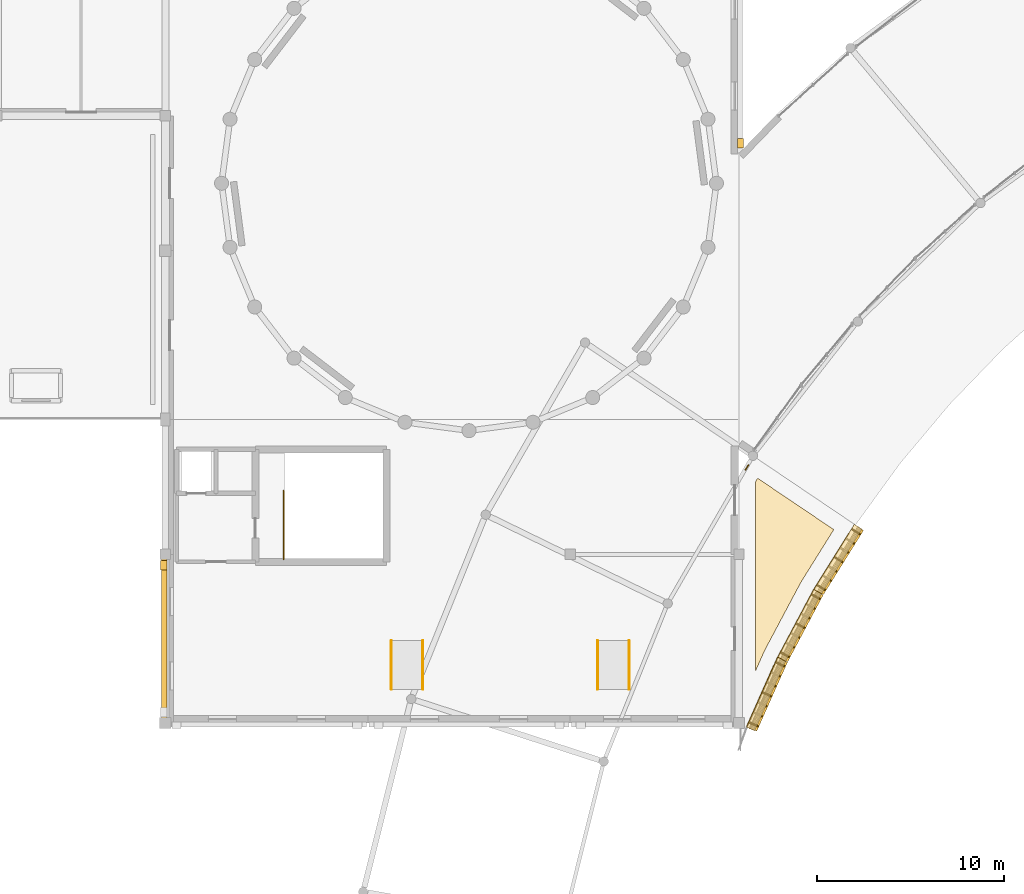
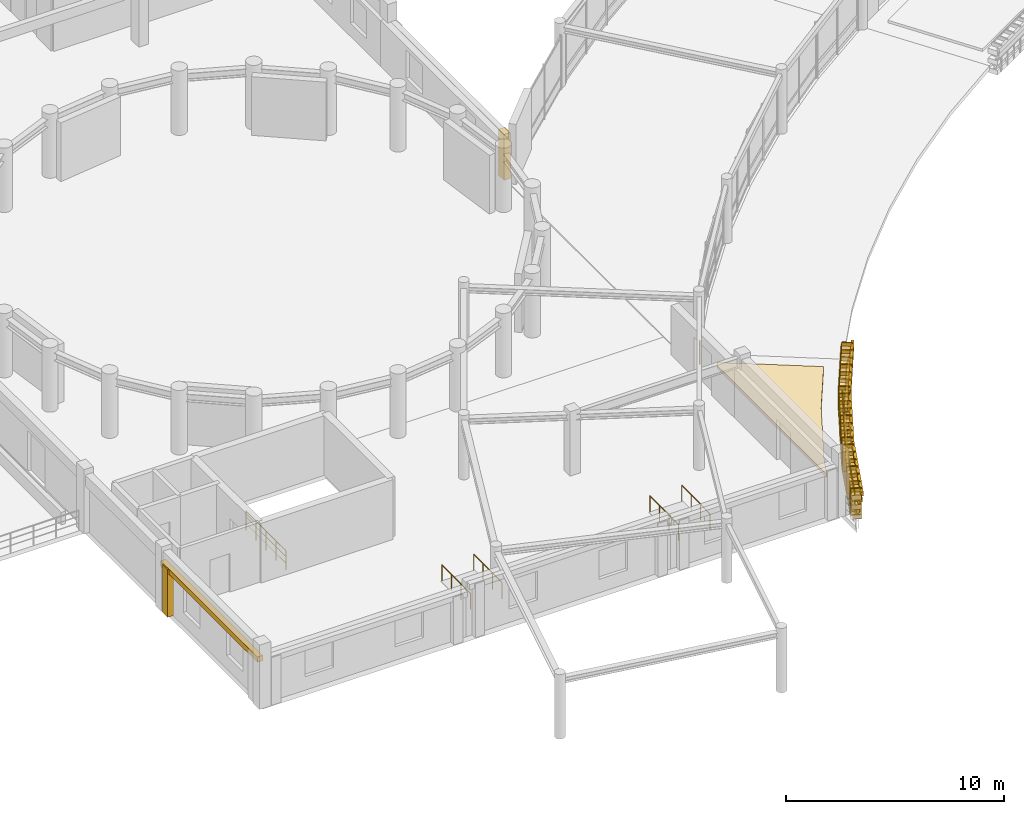
# One storey, part 64 of 74: 36 shading devices, 22 coverings, 11 railings.
"""IFC4 building model written with IfcOpenShell, lengths in metres."""

from ifc_helpers import new_model, si_unit, direction, frame, frame_2d, origin, origin_2d, place, context, subcontext, project, spatial, polyline, rectangle, circle, outline, extrude, material, layer, layer_set, type_object, element, save


model = new_model("IFC4")

# Units and contexts
model_context = context("Model", 3, precision=1e-05, world=origin(), true_north=direction((0.0, 1.0)))
body_context = subcontext(model_context, "Body", "Model", "MODEL_VIEW")
ifc_project = project(units=[si_unit("LENGTHUNIT", "METRE"), si_unit("AREAUNIT", "SQUARE_METRE"), si_unit("VOLUMEUNIT", "CUBIC_METRE"), si_unit("PLANEANGLEUNIT", "RADIAN"), si_unit("MASSUNIT", "GRAM", prefix="KILO")], contexts=[model_context])

# Site, building, storey
site_placement = place(None, origin())
site = spatial("IfcSite", under=ifc_project, at=site_placement, CompositionType="ELEMENT")
building_placement = place(site_placement, origin())
building = spatial("IfcBuilding", under=site, at=building_placement, Name="Clarverna Civic Hall", CompositionType="ELEMENT")
storey_placement = place(building_placement, frame((0.0, 0.0, 9.60009765625)))
storey = spatial("IfcBuildingStorey", under=building, at=storey_placement, Name="L02", CompositionType="ELEMENT", Elevation=9.60009765625)

# Coverings
ifc_material_1 = material(Name="Thermally Modified Teak Wood Slat Fascia Cladding", Category="wood")
ifc_layer_1 = layer(ifc_material_1, 0.080078125)
ifc_layer_set_1 = layer_set([ifc_layer_1], Name="Thermally Modified Teak Wood Slat Fascia Cladding")
covering_type_1 = type_object("IfcCoveringType", Name="CV-CL1", PredefinedType="CLADDING", material=ifc_layer_set_1)
for number, where, z_axis, x_axis, name in (
    (1, (103.571044921875, 40.67333984375, -0.380126953125), (0.0, 0.0, 1.0), (-0.529913093381, -0.848051952102, 0.0), "CV-CL1-129"),
    (2, (103.571044921875, 40.67333984375, 0.159912109375), (0.0, 0.0, 1.0), (-0.529913093381, -0.848051952102, 0.0), "CV-CL1-130"),
):
    element("IfcCovering", number, at=place(storey_placement, frame(where, z_axis=z_axis, x_axis=x_axis)), inside=storey, type_object=covering_type_1, Name=name, PredefinedType="CLADDING", context=body_context, shape_type="SweptSolid", body=[
        extrude(rectangle(XDim=4.09033203125, YDim=0.5, at=frame_2d((2.045166015625, 0.0))), origin(), (0.0, 0.0, 1.0), 0.260009765625),
    ])
covering_1_placement = place(storey_placement, frame((103.571044921875, 40.67333984375, 0.679931640625), z_axis=(0.0, 0.0, 1.0), x_axis=(-0.529913093381, -0.848051952102, 0.0)))
element("IfcCovering", 3, at=covering_1_placement, inside=storey, type_object=covering_type_1, Name="CV-CL1-131", PredefinedType="CLADDING", context=body_context, shape_type="SweptSolid", body=[
    extrude(rectangle(XDim=4.09033203125, YDim=0.5, at=frame_2d((2.045166015625, 0.0))), origin(), (0.0, 0.0, 1.0), 0.280029296875),
])
covering_2_placement = place(storey_placement, frame((103.229736328125, 40.5419921875, -0.360107421875), z_axis=(0.0, 0.0, 1.0), x_axis=(0.848135431793, -0.529779472363, 0.0)))
element("IfcCovering", 4, at=covering_2_placement, inside=storey, type_object=covering_type_1, Name="CV-CL1-132", PredefinedType="CLADDING", context=body_context, shape_type="SweptSolid", body=[
    extrude(rectangle(XDim=0.5, YDim=0.070068359375, at=frame_2d((0.25, 0.0))), origin(), (0.0, 0.0, 1.0), 1.52001953125),
])
covering_3_placement = place(storey_placement, frame((102.30078125, 39.055419921875, -0.360107421875), z_axis=(0.0, 0.0, 1.0), x_axis=(0.847998304005, -0.529998940003, 0.0)))
element("IfcCovering", 5, at=covering_3_placement, inside=storey, type_object=covering_type_1, Name="CV-CL1-133", PredefinedType="CLADDING", context=body_context, shape_type="SweptSolid", body=[
    extrude(rectangle(XDim=0.499755859375, YDim=0.070068359375, at=frame_2d((0.25, 0.0))), origin(), (0.0, 0.0, 1.0), 1.52001953125),
])
covering_4_placement = place(storey_placement, frame((101.371826171875, 37.569091796875, -0.360107421875), z_axis=(0.0, 0.0, 1.0), x_axis=(0.847916021367, -0.530130569491, 0.0)))
element("IfcCovering", 6, at=covering_4_placement, inside=storey, type_object=covering_type_1, Name="CV-CL1-134", PredefinedType="CLADDING", context=body_context, shape_type="SweptSolid", body=[
    extrude(rectangle(XDim=0.500244140625, YDim=0.070068359375, at=frame_2d((0.25, 0.0))), origin(), (0.0, 0.0, 1.0), 1.52001953125),
])
for number, where, z_axis, x_axis, name in (
    (7, (101.409912109375, 37.215576171875, -0.380126953125), (0.0, 0.0, 1.0), (-0.469491216359, -0.882937142588, 0.0), "CV-CL1-135"),
    (8, (101.409912109375, 37.215576171875, 0.159912109375), (0.0, 0.0, 1.0), (-0.469491216359, -0.882937142588, 0.0), "CV-CL1-136"),
):
    element("IfcCovering", number, at=place(storey_placement, frame(where, z_axis=z_axis, x_axis=x_axis)), inside=storey, type_object=covering_type_1, Name=name, PredefinedType="CLADDING", context=body_context, shape_type="SweptSolid", body=[
        extrude(rectangle(XDim=4.09033203125, YDim=0.5, at=frame_2d((2.045166015625, 0.0))), origin(), (0.0, 0.0, 1.0), 0.260009765625),
    ])
covering_5_placement = place(storey_placement, frame((101.409912109375, 37.215576171875, 0.679931640625), z_axis=(0.0, 0.0, 1.0), x_axis=(-0.469491216359, -0.882937142588, 0.0)))
element("IfcCovering", 9, at=covering_5_placement, inside=storey, type_object=covering_type_1, Name="CV-CL1-137", PredefinedType="CLADDING", context=body_context, shape_type="SweptSolid", body=[
    extrude(rectangle(XDim=4.09033203125, YDim=0.5, at=frame_2d((2.045166015625, 0.0))), origin(), (0.0, 0.0, 1.0), 0.280029296875),
])
for number, where, z_axis, x_axis, name in (
    (10, (101.078369140625, 37.060791015625, -0.360107421875), (0.0, 0.0, 1.0), (0.883122040094, -0.469143328099, 0.0), "CV-CL1-138"),
    (11, (100.255615234375, 35.512939453125, -0.360107421875), (0.0, 0.0, 1.0), (0.883014523832, -0.46934566228, 0.0), "CV-CL1-139"),
    (12, (99.4326171875, 33.965087890625, -0.360107421875), (0.0, 0.0, 1.0), (0.883014523832, -0.46934566228, 0.0), "CV-CL1-140"),
):
    element("IfcCovering", number, at=place(storey_placement, frame(where, z_axis=z_axis, x_axis=x_axis)), inside=storey, type_object=covering_type_1, Name=name, PredefinedType="CLADDING", context=body_context, shape_type="SweptSolid", body=[
        extrude(rectangle(XDim=0.5, YDim=0.070068359375, at=frame_2d((0.25, 0.0))), origin(), (0.0, 0.0, 1.0), 1.52001953125),
    ])
for number, where, z_axis, x_axis, name in (
    (13, (99.4951171875, 33.615234375, -0.380126953125), (0.0, 0.0, 1.0), (-0.406775246919, -0.913528269127, 0.0), "CV-CL1-141"),
    (14, (99.4951171875, 33.615234375, 0.159912109375), (0.0, 0.0, 1.0), (-0.406775246919, -0.913528269127, 0.0), "CV-CL1-142"),
):
    element("IfcCovering", number, at=place(storey_placement, frame(where, z_axis=z_axis, x_axis=x_axis)), inside=storey, type_object=covering_type_1, Name=name, PredefinedType="CLADDING", context=body_context, shape_type="SweptSolid", body=[
        extrude(rectangle(XDim=4.09033203125, YDim=0.5, at=frame_2d((2.045166015625, 0.0))), origin(), (0.0, 0.0, 1.0), 0.260009765625),
    ])
covering_6_placement = place(storey_placement, frame((99.4951171875, 33.615234375, 0.679931640625), z_axis=(0.0, 0.0, 1.0), x_axis=(-0.406775246919, -0.913528269127, 0.0)))
element("IfcCovering", 15, at=covering_6_placement, inside=storey, type_object=covering_type_1, Name="CV-CL1-143", PredefinedType="CLADDING", context=body_context, shape_type="SweptSolid", body=[
    extrude(rectangle(XDim=4.09033203125, YDim=0.5, at=frame_2d((2.045166015625, 0.0))), origin(), (0.0, 0.0, 1.0), 0.280029296875),
])
for number, where, z_axis, x_axis, name in (
    (16, (99.17529296875, 33.43798828125, -0.360107421875), (0.0, 0.0, 1.0), (0.913549606868, -0.406727323635, 0.0), "CV-CL1-144"),
    (17, (98.46240234375, 31.83642578125, -0.360107421875), (0.0, 0.0, 1.0), (0.913549606868, -0.406727323635, 0.0), "CV-CL1-145"),
    (18, (97.749267578125, 30.235107421875, -0.360107421875), (0.0, 0.0, 1.0), (0.913549606868, -0.406727323635, 0.0), "CV-CL1-146"),
):
    element("IfcCovering", number, at=place(storey_placement, frame(where, z_axis=z_axis, x_axis=x_axis)), inside=storey, type_object=covering_type_1, Name=name, PredefinedType="CLADDING", context=body_context, shape_type="SweptSolid", body=[
        extrude(rectangle(XDim=0.5, YDim=0.070068359375, at=frame_2d((0.25, 0.0))), origin(), (0.0, 0.0, 1.0), 1.52001953125),
    ])
ifc_material_2 = material(Name="Montjuic Buff Limestone Ashlar Cladding", Category="masonry")
ifc_layer_2 = layer(ifc_material_2, 0.070068359375)
ifc_layer_set_2 = layer_set([ifc_layer_2], Name="Montjuic Buff Limestone Ashlar Cladding")
covering_type_2 = type_object("IfcCoveringType", Name="CV-CL2", PredefinedType="CLADDING", material=ifc_layer_set_2)
covering_7_placement = place(storey_placement, frame((97.284912109375, 61.38671875, 0.0), z_axis=(0.0, 0.0, 1.0), x_axis=(0.0, -1.0, 0.0)))
element("IfcCovering", 19, at=covering_7_placement, inside=storey, type_object=covering_type_2, Name="CV-CL2-487", PredefinedType="CLADDING", context=body_context, shape_type="SweptSolid", body=[
    extrude(rectangle(XDim=0.5, YDim=0.340087890625, at=frame_2d((0.25, 0.0))), origin(), (0.0, 0.0, 1.0), 2.559814453125),
])
covering_8_placement = place(storey_placement, frame((66.544921875, 30.260009765625, 2.3798828125), z_axis=(0.0, 0.0, 1.0), x_axis=(0.0, 1.0, 0.0)))
element("IfcCovering", 20, at=covering_8_placement, inside=storey, type_object=covering_type_2, Name="CV-CL2-497", PredefinedType="CLADDING", context=body_context, shape_type="SweptSolid", body=[
    extrude(rectangle(XDim=8.8798828125, YDim=0.280029296875, at=frame_2d((4.43994140625, 0.0))), origin(), (0.0, 0.0, 1.0), 0.300048828125),
])
covering_9_placement = place(storey_placement, frame((66.514892578125, 38.3798828125, 0.0), z_axis=(0.0, 0.0, 1.0), x_axis=(0.0, 1.0, 0.0)))
element("IfcCovering", 21, at=covering_9_placement, inside=storey, type_object=covering_type_2, Name="CV-CL2-499", PredefinedType="CLADDING", context=body_context, shape_type="SweptSolid", body=[
    extrude(rectangle(XDim=0.5, YDim=0.340087890625, at=frame_2d((0.25, 0.0))), origin(), (0.0, 0.0, 1.0), 2.659912109375),
])
ifc_material_3 = material(Name="Planted Civic Terrace Vegetated Substrate and Drainage Build-Up")
ifc_layer_3 = layer(ifc_material_3, 0.25)
ifc_layer_set_3 = layer_set([ifc_layer_3], Name="Planted Civic Terrace Vegetated Substrate and Drainage Build-Up")
covering_type_3 = type_object("IfcCoveringType", Name="CV-RF1", PredefinedType="ROOFING", material=ifc_layer_set_3)
covering_10_placement = place(storey_placement, frame((0.0, 0.0, -0.02001953125)))
element("IfcCovering", 22, at=covering_10_placement, inside=storey, type_object=covering_type_3, Name="CV-RF1-009", PredefinedType="ROOFING", context=body_context, shape_type="SweptSolid", body=[
    extrude(outline(polyline([(98.074951171875, 32.9580078125), (98.074951171875, 43.060546875), (98.201171875, 43.262451171875), (102.2626953125, 40.52294921875), (100.50048828125, 37.698974609375), (98.580078125, 34.08740234375), (98.074951171875, 32.9580078125)])), origin(), (0.0, 0.0, 1.0), 0.159912109375),
])

# Railings
ifc_material_4 = material(Name="Anodised Bronze Architectural Balustrade")
railing_type_1 = type_object("IfcRailingType", Name="GR-01", PredefinedType="BALUSTRADE", material=ifc_material_4)
railing_1_placement = place(storey_placement, frame((97.5458984375, 43.70458984375, 0.0)))
element("IfcRailing", 23, at=railing_1_placement, inside=storey, type_object=railing_type_1, Name="GR-01-009", PredefinedType="BALUSTRADE", context=body_context, shape_type="SweptSolid", body=[
    extrude(circle(Radius=0.02392578125, at=origin_2d()), frame((0.0, 0.0, 1.09619140625), z_axis=(0.529853727046, 0.848089044815, 0.0), x_axis=(-0.848089044815, 0.529853727046, 0.0)), (0.0, 0.0, 1.0), 0.30224609375),
    extrude(circle(Radius=0.011962890625, at=origin_2d()), frame((0.0, 0.0, 0.39208984375), z_axis=(0.529853727046, 0.848089044815, 0.0), x_axis=(-0.848089044815, 0.529853727046, 0.0)), (0.0, 0.0, 1.0), 0.30224609375),
    extrude(circle(Radius=0.011962890625, at=origin_2d()), frame((0.0, 0.0, 0.76171875), z_axis=(0.529853727046, 0.848089044815, 0.0), x_axis=(-0.848089044815, 0.529853727046, 0.0)), (0.0, 0.0, 1.0), 0.30224609375),
    extrude(circle(Radius=0.02099609375, at=origin_2d()), origin(), (0.0, 0.0, 1.0), 1.072021484375),
    extrude(circle(Radius=0.02099609375, at=origin_2d()), frame((0.16015625, 0.25634765625, 0.0)), (0.0, 0.0, 1.0), 1.072021484375),
])
railing_2_placement = place(storey_placement, frame((103.076416015625, 40.334716796875, 0.0)))
element("IfcRailing", 24, at=railing_2_placement, inside=storey, type_object=railing_type_1, Name="GR-01-010", PredefinedType="BALUSTRADE", context=body_context, shape_type="SweptSolid", body=[
    extrude(circle(Radius=0.02392578125, at=origin_2d()), frame((0.0, 0.0, 1.09619140625), z_axis=(-0.529924568458, -0.848044781686, 0.0), x_axis=(0.848044781686, -0.529924568458, 0.0)), (0.0, 0.0, 1.0), 3.541015625),
    extrude(circle(Radius=0.011962890625, at=origin_2d()), frame((0.0, 0.0, 0.39208984375), z_axis=(-0.529924568458, -0.848044781686, 0.0), x_axis=(0.848044781686, -0.529924568458, 0.0)), (0.0, 0.0, 1.0), 3.541015625),
    extrude(circle(Radius=0.011962890625, at=origin_2d()), frame((0.0, 0.0, 0.76171875), z_axis=(-0.529924568458, -0.848044781686, 0.0), x_axis=(0.848044781686, -0.529924568458, 0.0)), (0.0, 0.0, 1.0), 3.541015625),
    extrude(circle(Radius=0.02099609375, at=origin_2d()), origin(), (0.0, 0.0, 1.0), 1.072021484375),
    extrude(circle(Radius=0.02099609375, at=origin_2d()), frame((-0.62548828125, -1.0009765625, 0.0)), (0.0, 0.0, 1.0), 1.072021484375),
    extrude(circle(Radius=0.02099609375, at=origin_2d()), frame((-1.2509765625, -2.001953125, 0.0)), (0.0, 0.0, 1.0), 1.072021484375),
    extrude(circle(Radius=0.02099609375, at=origin_2d()), frame((-1.87646484375, -3.0029296875, 0.0)), (0.0, 0.0, 1.0), 1.072021484375),
])
railing_3_placement = place(storey_placement, frame((101.197998046875, 37.328125, 0.0)))
element("IfcRailing", 25, at=railing_3_placement, inside=storey, type_object=railing_type_1, Name="GR-01-011", PredefinedType="BALUSTRADE", context=body_context, shape_type="SweptSolid", body=[
    extrude(circle(Radius=0.02392578125, at=origin_2d()), frame((0.0, 0.0, 1.09619140625), z_axis=(-0.46951595925, -0.882923985409, 0.0), x_axis=(0.882923985409, -0.46951595925, 0.0)), (0.0, 0.0, 1.0), 4.090087890625),
    extrude(circle(Radius=0.011962890625, at=origin_2d()), frame((0.0, 0.0, 0.39208984375), z_axis=(-0.46951595925, -0.882923985409, 0.0), x_axis=(0.882923985409, -0.46951595925, 0.0)), (0.0, 0.0, 1.0), 4.090087890625),
    extrude(circle(Radius=0.011962890625, at=origin_2d()), frame((0.0, 0.0, 0.76171875), z_axis=(-0.46951595925, -0.882923985409, 0.0), x_axis=(0.882923985409, -0.46951595925, 0.0)), (0.0, 0.0, 1.0), 4.090087890625),
    extrude(circle(Radius=0.02099609375, at=origin_2d()), origin(), (0.0, 0.0, 1.0), 1.072021484375),
    extrude(circle(Radius=0.02099609375, at=origin_2d()), frame((-0.47998046875, -0.90283203125, 0.0)), (0.0, 0.0, 1.0), 1.072021484375),
    extrude(circle(Radius=0.02099609375, at=origin_2d()), frame((-0.960205078125, -1.8056640625, 0.0)), (0.0, 0.0, 1.0), 1.072021484375),
    extrude(circle(Radius=0.02099609375, at=origin_2d()), frame((-1.4404296875, -2.70849609375, 0.0)), (0.0, 0.0, 1.0), 1.072021484375),
    extrude(circle(Radius=0.02099609375, at=origin_2d()), frame((-1.92041015625, -3.611328125, 0.0)), (0.0, 0.0, 1.0), 1.072021484375),
])
railing_4_placement = place(storey_placement, frame((99.27587890625, 33.712890625, 0.0)))
element("IfcRailing", 26, at=railing_4_placement, inside=storey, type_object=railing_type_1, Name="GR-01-012", PredefinedType="BALUSTRADE", context=body_context, shape_type="SweptSolid", body=[
    extrude(circle(Radius=0.02392578125, at=origin_2d()), frame((0.0, 0.0, 1.09619140625), z_axis=(-0.406725433259, -0.913550448492, 0.0), x_axis=(0.913550448492, -0.406725433259, 0.0)), (0.0, 0.0, 1.0), 4.090087890625),
    extrude(circle(Radius=0.011962890625, at=origin_2d()), frame((0.0, 0.0, 0.39208984375), z_axis=(-0.406725433259, -0.913550448492, 0.0), x_axis=(0.913550448492, -0.406725433259, 0.0)), (0.0, 0.0, 1.0), 4.090087890625),
    extrude(circle(Radius=0.011962890625, at=origin_2d()), frame((0.0, 0.0, 0.76171875), z_axis=(-0.406725433259, -0.913550448492, 0.0), x_axis=(0.913550448492, -0.406725433259, 0.0)), (0.0, 0.0, 1.0), 4.090087890625),
    extrude(circle(Radius=0.02099609375, at=origin_2d()), origin(), (0.0, 0.0, 1.0), 1.072021484375),
    extrude(circle(Radius=0.02099609375, at=origin_2d()), frame((-0.416015625, -0.93408203125, 0.0)), (0.0, 0.0, 1.0), 1.072021484375),
    extrude(circle(Radius=0.02099609375, at=origin_2d()), frame((-0.831787109375, -1.8681640625, 0.0)), (0.0, 0.0, 1.0), 1.072021484375),
    extrude(circle(Radius=0.02099609375, at=origin_2d()), frame((-1.24755859375, -2.802490234375, 0.0)), (0.0, 0.0, 1.0), 1.072021484375),
    extrude(circle(Radius=0.02099609375, at=origin_2d()), frame((-1.66357421875, -3.736572265625, 0.0)), (0.0, 0.0, 1.0), 1.072021484375),
])
railing_type_2 = type_object("IfcRailingType", Name="GR-02", PredefinedType="BALUSTRADE", material=ifc_material_4)
railing_5_placement = place(storey_placement, frame((72.909912109375, 38.93994140625, 0.0)))
element("IfcRailing", 27, at=railing_5_placement, inside=storey, type_object=railing_type_2, Name="GR-02-099", PredefinedType="BALUSTRADE", context=body_context, shape_type="SweptSolid", body=[
    extrude(circle(Radius=0.02392578125, at=origin_2d()), frame((0.0, 0.0, 1.09619140625), z_axis=(0.0, 1.0, 0.0), x_axis=(-1.0, 0.0, 0.0)), (0.0, 0.0, 1.0), 3.66015625),
    extrude(circle(Radius=0.011962890625, at=origin_2d()), frame((0.0, 0.0, 0.39208984375), z_axis=(0.0, 1.0, 0.0), x_axis=(-1.0, 0.0, 0.0)), (0.0, 0.0, 1.0), 3.66015625),
    extrude(circle(Radius=0.011962890625, at=origin_2d()), frame((0.0, 0.0, 0.76171875), z_axis=(0.0, 1.0, 0.0), x_axis=(-1.0, 0.0, 0.0)), (0.0, 0.0, 1.0), 3.66015625),
    extrude(circle(Radius=0.02099609375, at=origin_2d()), origin(), (0.0, 0.0, 1.0), 1.072021484375),
    extrude(circle(Radius=0.02099609375, at=origin_2d()), frame((0.0, 0.9150390625, 0.0)), (0.0, 0.0, 1.0), 1.072021484375),
    extrude(circle(Radius=0.02099609375, at=origin_2d()), frame((0.0, 1.830078125, 0.0)), (0.0, 0.0, 1.0), 1.072021484375),
    extrude(circle(Radius=0.02099609375, at=origin_2d()), frame((0.0, 2.7451171875, 0.0)), (0.0, 0.0, 1.0), 1.072021484375),
    extrude(circle(Radius=0.02099609375, at=origin_2d()), frame((0.0, 3.66015625, 0.0)), (0.0, 0.0, 1.0), 1.072021484375),
])
ifc_material_5 = material(Name="Thermally Modified Teak Wood Slat Fascia Rail", Category="wood")
railing_type_3 = type_object("IfcRailingType", Name="GR-03", PredefinedType="BALUSTRADE", material=ifc_material_5)
railing_6_placement = place(storey_placement, frame((101.3427734375, 37.21728515625, 0.0)))
element("IfcRailing", 28, at=railing_6_placement, inside=storey, type_object=railing_type_3, Name="GR-03-011", PredefinedType="BALUSTRADE", context=body_context, shape_type="SweptSolid", body=[
    extrude(circle(Radius=0.02392578125, at=origin_2d()), frame((0.0, 0.0, 1.09619140625), z_axis=(-0.469462274807, -0.882952531302, 0.0), x_axis=(0.882952531302, -0.469462274807, 0.0)), (0.0, 0.0, 1.0), 4.0302734375),
    extrude(circle(Radius=0.011962890625, at=origin_2d()), frame((0.0, 0.0, 0.39208984375), z_axis=(-0.469462274807, -0.882952531302, 0.0), x_axis=(0.882952531302, -0.469462274807, 0.0)), (0.0, 0.0, 1.0), 4.0302734375),
    extrude(circle(Radius=0.011962890625, at=origin_2d()), frame((0.0, 0.0, 0.76171875), z_axis=(-0.469462274807, -0.882952531302, 0.0), x_axis=(0.882952531302, -0.469462274807, 0.0)), (0.0, 0.0, 1.0), 4.0302734375),
    extrude(circle(Radius=0.02099609375, at=origin_2d()), origin(), (0.0, 0.0, 1.0), 1.072021484375),
    extrude(circle(Radius=0.02099609375, at=origin_2d()), frame((-0.47314453125, -0.8896484375, 0.0)), (0.0, 0.0, 1.0), 1.072021484375),
    extrude(circle(Radius=0.02099609375, at=origin_2d()), frame((-0.946044921875, -1.779296875, 0.0)), (0.0, 0.0, 1.0), 1.072021484375),
    extrude(circle(Radius=0.02099609375, at=origin_2d()), frame((-1.4189453125, -2.6689453125, 0.0)), (0.0, 0.0, 1.0), 1.072021484375),
    extrude(circle(Radius=0.02099609375, at=origin_2d()), frame((-1.89208984375, -3.55859375, 0.0)), (0.0, 0.0, 1.0), 1.072021484375),
])
railing_7_placement = place(storey_placement, frame((99.427978515625, 33.6123046875, 0.0)))
element("IfcRailing", 29, at=railing_7_placement, inside=storey, type_object=railing_type_3, Name="GR-03-012", PredefinedType="BALUSTRADE", context=body_context, shape_type="SweptSolid", body=[
    extrude(circle(Radius=0.02392578125, at=origin_2d()), frame((0.0, 0.0, 1.09619140625), z_axis=(-0.406711678619, -0.913556572126, 0.0), x_axis=(0.913556572126, -0.406711678619, 0.0)), (0.0, 0.0, 1.0), 4.0302734375),
    extrude(circle(Radius=0.011962890625, at=origin_2d()), frame((0.0, 0.0, 0.39208984375), z_axis=(-0.406711678619, -0.913556572126, 0.0), x_axis=(0.913556572126, -0.406711678619, 0.0)), (0.0, 0.0, 1.0), 4.0302734375),
    extrude(circle(Radius=0.011962890625, at=origin_2d()), frame((0.0, 0.0, 0.76171875), z_axis=(-0.406711678619, -0.913556572126, 0.0), x_axis=(0.913556572126, -0.406711678619, 0.0)), (0.0, 0.0, 1.0), 4.0302734375),
    extrude(circle(Radius=0.02099609375, at=origin_2d()), origin(), (0.0, 0.0, 1.0), 1.072021484375),
    extrude(circle(Radius=0.02099609375, at=origin_2d()), frame((-0.40966796875, -0.92041015625, 0.0)), (0.0, 0.0, 1.0), 1.072021484375),
    extrude(circle(Radius=0.02099609375, at=origin_2d()), frame((-0.819580078125, -1.8408203125, 0.0)), (0.0, 0.0, 1.0), 1.072021484375),
    extrude(circle(Radius=0.02099609375, at=origin_2d()), frame((-1.2294921875, -2.761474609375, 0.0)), (0.0, 0.0, 1.0), 1.072021484375),
    extrude(circle(Radius=0.02099609375, at=origin_2d()), frame((-1.63916015625, -3.681884765625, 0.0)), (0.0, 0.0, 1.0), 1.072021484375),
])
ifc_material_6 = material(Name="Anodised Bronze Continuous Handrail")
railing_type_4 = type_object("IfcRailingType", Name="HR-01", PredefinedType="HANDRAIL", material=ifc_material_6)
for number, where, name in (
    (30, (78.659912109375, 32.0, 0.0), "HR-01-109"),
    (31, (80.340087890625, 32.0, 0.0), "HR-01-110"),
    (32, (89.659912109375, 32.0, 0.0), "HR-01-111"),
    (33, (91.340087890625, 32.0, 0.0), "HR-01-112"),
):
    element("IfcRailing", number, at=place(storey_placement, frame(where)), inside=storey, type_object=railing_type_4, Name=name, PredefinedType="HANDRAIL", context=body_context, shape_type="SweptSolid", body=[
        extrude(circle(Radius=0.02392578125, at=origin_2d()), frame((0.0, 0.0, 0.89599609375), z_axis=(0.0, 0.999970359933, 0.007699302302), x_axis=(-1.0, 0.0, 0.0)), (0.0, 0.0, 1.0), 2.60009765625),
        extrude(circle(Radius=0.02099609375, at=origin_2d()), origin(), (0.0, 0.0, 1.0), 0.871826171875),
        extrude(circle(Radius=0.02099609375, at=origin_2d()), frame((0.0, 0.86669921875, 0.006591796875)), (0.0, 0.0, 1.0), 0.871826171875),
        extrude(circle(Radius=0.02099609375, at=origin_2d()), frame((0.0, 1.7333984375, 0.013427734375)), (0.0, 0.0, 1.0), 0.871826171875),
        extrude(circle(Radius=0.02099609375, at=origin_2d()), frame((0.0, 2.60009765625, 0.02001953125)), (0.0, 0.0, 1.0), 0.871826171875),
    ])

# Shading devices
ifc_material_7 = material(Name="Thermally Modified Teak Wood Slats", Category="wood")
ifc_layer_4 = layer(ifc_material_7, 0.06494140625)
ifc_layer_set_4 = layer_set([ifc_layer_4], Name="Thermally Modified Teak Wood Slats")
shading_device_type = type_object("IfcShadingDeviceType", Name="SD-WD1", PredefinedType="JALOUSIE", material=ifc_layer_set_4)
for number, where, z_axis, x_axis, name in (
    (34, (103.589111328125, 40.626708984375, -0.360107421875), (0.0, 0.0, 1.0), (-0.529939041028, -0.848035737923, 0.0), "SD-WD1-139"),
    (35, (103.639892578125, 40.594970703125, -0.080078125), (0.0, 0.0, 1.0), (-0.52986825044, -0.848079970979, 0.0), "SD-WD1-140"),
    (36, (103.69091796875, 40.56298828125, 0.219970703125), (0.0, 0.0, 1.0), (-0.529939041028, -0.848035737923, 0.0), "SD-WD1-141"),
    (37, (103.74169921875, 40.53125, 0.539794921875), (0.0, 0.0, 1.0), (-0.529939041028, -0.848035737923, 0.0), "SD-WD1-142"),
    (38, (103.7841796875, 40.5048828125, 0.85986328125), (0.0, 0.0, 1.0), (-0.529911817823, -0.848052749145, 0.0), "SD-WD1-143"),
):
    element("IfcShadingDevice", number, at=place(storey_placement, frame(where, z_axis=z_axis, x_axis=x_axis)), inside=storey, type_object=shading_device_type, Name=name, PredefinedType="JALOUSIE", context=body_context, shape_type="SweptSolid", body=[
        extrude(rectangle(XDim=4.0302734375, YDim=0.139892578125, at=frame_2d((2.01513671875, 0.0))), origin(), (0.0, 0.0, 1.0), 0.239990234375),
    ])
shading_device_1_placement = place(storey_placement, frame((103.229736328125, 40.5419921875, -0.360107421875), z_axis=(0.0, 0.0, 1.0), x_axis=(0.848135431793, -0.529779472363, 0.0)))
element("IfcShadingDevice", 39, at=shading_device_1_placement, inside=storey, type_object=shading_device_type, Name="SD-WD1-144", PredefinedType="JALOUSIE", context=body_context, shape_type="SweptSolid", body=[
    extrude(rectangle(XDim=0.5, YDim=0.06494140625, at=frame_2d((0.25, 0.0))), origin(), (0.0, 0.0, 1.0), 1.5),
])
shading_device_2_placement = place(storey_placement, frame((102.919921875, 40.046630859375, -0.360107421875), z_axis=(0.0, 0.0, 1.0), x_axis=(0.847916021367, -0.530130569491, 0.0)))
element("IfcShadingDevice", 40, at=shading_device_2_placement, inside=storey, type_object=shading_device_type, Name="SD-WD1-145", PredefinedType="JALOUSIE", context=body_context, shape_type="SweptSolid", body=[
    extrude(rectangle(XDim=0.500244140625, YDim=0.06494140625, at=frame_2d((0.25, 0.0))), origin(), (0.0, 0.0, 1.0), 1.5),
])
shading_device_3_placement = place(storey_placement, frame((102.6103515625, 39.551025390625, -0.360107421875), z_axis=(0.0, 0.0, 1.0), x_axis=(0.848135431793, -0.529779472363, 0.0)))
element("IfcShadingDevice", 41, at=shading_device_3_placement, inside=storey, type_object=shading_device_type, Name="SD-WD1-146", PredefinedType="JALOUSIE", context=body_context, shape_type="SweptSolid", body=[
    extrude(rectangle(XDim=0.5, YDim=0.06494140625, at=frame_2d((0.25, 0.0))), origin(), (0.0, 0.0, 1.0), 1.5),
])
shading_device_4_placement = place(storey_placement, frame((102.30078125, 39.055419921875, -0.360107421875), z_axis=(0.0, 0.0, 1.0), x_axis=(0.847998304005, -0.529998940003, 0.0)))
element("IfcShadingDevice", 42, at=shading_device_4_placement, inside=storey, type_object=shading_device_type, Name="SD-WD1-147", PredefinedType="JALOUSIE", context=body_context, shape_type="SweptSolid", body=[
    extrude(rectangle(XDim=0.499755859375, YDim=0.06494140625, at=frame_2d((0.25, 0.0))), origin(), (0.0, 0.0, 1.0), 1.5),
])
for number, where, z_axis, x_axis, name in (
    (43, (101.9912109375, 38.56005859375, -0.360107421875), (0.0, 0.0, 1.0), (0.84777874733, -0.530350068894, 0.0), "SD-WD1-148"),
    (44, (101.681396484375, 38.064453125, -0.360107421875), (0.0, 0.0, 1.0), (0.848135431793, -0.529779472363, 0.0), "SD-WD1-149"),
):
    element("IfcShadingDevice", number, at=place(storey_placement, frame(where, z_axis=z_axis, x_axis=x_axis)), inside=storey, type_object=shading_device_type, Name=name, PredefinedType="JALOUSIE", context=body_context, shape_type="SweptSolid", body=[
        extrude(rectangle(XDim=0.5, YDim=0.06494140625, at=frame_2d((0.25, 0.0))), origin(), (0.0, 0.0, 1.0), 1.5),
    ])
shading_device_5_placement = place(storey_placement, frame((101.371826171875, 37.569091796875, -0.360107421875), z_axis=(0.0, 0.0, 1.0), x_axis=(0.847916021367, -0.530130569491, 0.0)))
element("IfcShadingDevice", 45, at=shading_device_5_placement, inside=storey, type_object=shading_device_type, Name="SD-WD1-150", PredefinedType="JALOUSIE", context=body_context, shape_type="SweptSolid", body=[
    extrude(rectangle(XDim=0.500244140625, YDim=0.06494140625, at=frame_2d((0.25, 0.0))), origin(), (0.0, 0.0, 1.0), 1.5),
])
shading_device_6_placement = place(storey_placement, frame((101.43115234375, 37.170166015625, -0.360107421875), z_axis=(0.0, 0.0, 1.0), x_axis=(-0.469487385402, -0.882939179643, 0.0)))
element("IfcShadingDevice", 46, at=shading_device_6_placement, inside=storey, type_object=shading_device_type, Name="SD-WD1-151", PredefinedType="JALOUSIE", context=body_context, shape_type="SweptSolid", body=[
    extrude(rectangle(XDim=4.030029296875, YDim=0.139892578125, at=frame_2d((2.01513671875, 0.0))), origin(), (0.0, 0.0, 1.0), 0.239990234375),
])
for number, where, z_axis, x_axis, name in (
    (47, (101.48388671875, 37.14208984375, -0.080078125), (0.0, 0.0, 1.0), (-0.469415047603, -0.882977640195, 0.0), "SD-WD1-152"),
    (48, (101.537109375, 37.114013671875, 0.219970703125), (0.0, 0.0, 1.0), (-0.469462274807, -0.882952531302, 0.0), "SD-WD1-153"),
    (49, (101.590087890625, 37.085693359375, 0.539794921875), (0.0, 0.0, 1.0), (-0.469462274807, -0.882952531302, 0.0), "SD-WD1-154"),
    (50, (101.634033203125, 37.062255859375, 0.85986328125), (0.0, 0.0, 1.0), (-0.469415047603, -0.882977640195, 0.0), "SD-WD1-155"),
):
    element("IfcShadingDevice", number, at=place(storey_placement, frame(where, z_axis=z_axis, x_axis=x_axis)), inside=storey, type_object=shading_device_type, Name=name, PredefinedType="JALOUSIE", context=body_context, shape_type="SweptSolid", body=[
        extrude(rectangle(XDim=4.0302734375, YDim=0.139892578125, at=frame_2d((2.01513671875, 0.0))), origin(), (0.0, 0.0, 1.0), 0.239990234375),
    ])
for number, where, z_axis, x_axis, name in (
    (51, (101.078369140625, 37.060791015625, -0.360107421875), (0.0, 0.0, 1.0), (0.883122040094, -0.469143328099, 0.0), "SD-WD1-156"),
    (52, (100.80419921875, 36.544921875, -0.360107421875), (0.0, 0.0, 1.0), (0.883014523832, -0.46934566228, 0.0), "SD-WD1-157"),
    (53, (100.52978515625, 36.029052734375, -0.360107421875), (0.0, 0.0, 1.0), (0.882812079042, -0.469726338517, 0.0), "SD-WD1-158"),
    (54, (100.255615234375, 35.512939453125, -0.360107421875), (0.0, 0.0, 1.0), (0.883014523832, -0.46934566228, 0.0), "SD-WD1-159"),
    (55, (99.981201171875, 34.9970703125, -0.360107421875), (0.0, 0.0, 1.0), (0.883014523832, -0.46934566228, 0.0), "SD-WD1-160"),
    (56, (99.706787109375, 34.481201171875, -0.360107421875), (0.0, 0.0, 1.0), (0.883122040094, -0.469143328099, 0.0), "SD-WD1-161"),
    (57, (99.4326171875, 33.965087890625, -0.360107421875), (0.0, 0.0, 1.0), (0.883014523832, -0.46934566228, 0.0), "SD-WD1-162"),
):
    element("IfcShadingDevice", number, at=place(storey_placement, frame(where, z_axis=z_axis, x_axis=x_axis)), inside=storey, type_object=shading_device_type, Name=name, PredefinedType="JALOUSIE", context=body_context, shape_type="SweptSolid", body=[
        extrude(rectangle(XDim=0.5, YDim=0.06494140625, at=frame_2d((0.25, 0.0))), origin(), (0.0, 0.0, 1.0), 1.5),
    ])
shading_device_7_placement = place(storey_placement, frame((99.51953125, 33.571533203125, -0.360107421875), z_axis=(0.0, 0.0, 1.0), x_axis=(-0.406784743475, -0.913524040448, 0.0)))
element("IfcShadingDevice", 58, at=shading_device_7_placement, inside=storey, type_object=shading_device_type, Name="SD-WD1-163", PredefinedType="JALOUSIE", context=body_context, shape_type="SweptSolid", body=[
    extrude(rectangle(XDim=4.0302734375, YDim=0.139892578125, at=frame_2d((2.01513671875, 0.0))), origin(), (0.0, 0.0, 1.0), 0.239990234375),
])
shading_device_8_placement = place(storey_placement, frame((99.57421875, 33.547119140625, -0.080078125), z_axis=(0.0, 0.0, 1.0), x_axis=(-0.406734187248, -0.913546551043, 0.0)))
element("IfcShadingDevice", 59, at=shading_device_8_placement, inside=storey, type_object=shading_device_type, Name="SD-WD1-164", PredefinedType="JALOUSIE", context=body_context, shape_type="SweptSolid", body=[
    extrude(rectangle(XDim=4.030029296875, YDim=0.139892578125, at=frame_2d((2.01513671875, 0.0))), origin(), (0.0, 0.0, 1.0), 0.239990234375),
])
shading_device_9_placement = place(storey_placement, frame((99.629150390625, 33.522705078125, 0.219970703125), z_axis=(0.0, 0.0, 1.0), x_axis=(-0.406784743475, -0.913524040448, 0.0)))
element("IfcShadingDevice", 60, at=shading_device_9_placement, inside=storey, type_object=shading_device_type, Name="SD-WD1-165", PredefinedType="JALOUSIE", context=body_context, shape_type="SweptSolid", body=[
    extrude(rectangle(XDim=4.0302734375, YDim=0.139892578125, at=frame_2d((2.01513671875, 0.0))), origin(), (0.0, 0.0, 1.0), 0.239990234375),
])
for number, where, z_axis, x_axis, name in (
    (61, (99.683837890625, 33.498291015625, 0.539794921875), (0.0, 0.0, 1.0), (-0.406734187248, -0.913546551043, 0.0), "SD-WD1-166"),
    (62, (99.7294921875, 33.47802734375, 0.85986328125), (0.0, 0.0, 1.0), (-0.406734187248, -0.913546551043, 0.0), "SD-WD1-167"),
):
    element("IfcShadingDevice", number, at=place(storey_placement, frame(where, z_axis=z_axis, x_axis=x_axis)), inside=storey, type_object=shading_device_type, Name=name, PredefinedType="JALOUSIE", context=body_context, shape_type="SweptSolid", body=[
        extrude(rectangle(XDim=4.030029296875, YDim=0.139892578125, at=frame_2d((2.01513671875, 0.0))), origin(), (0.0, 0.0, 1.0), 0.239990234375),
    ])
for number, where, z_axis, x_axis, name in (
    (63, (99.17529296875, 33.43798828125, -0.360107421875), (0.0, 0.0, 1.0), (0.913549606868, -0.406727323635, 0.0), "SD-WD1-168"),
    (64, (98.937744140625, 32.904052734375, -0.360107421875), (0.0, 0.0, 1.0), (0.913549606868, -0.406727323635, 0.0), "SD-WD1-169"),
    (65, (98.699951171875, 32.370361328125, -0.360107421875), (0.0, 0.0, 1.0), (0.913549606868, -0.406727323635, 0.0), "SD-WD1-170"),
    (66, (98.46240234375, 31.83642578125, -0.360107421875), (0.0, 0.0, 1.0), (0.913549606868, -0.406727323635, 0.0), "SD-WD1-171"),
    (67, (98.224609375, 31.302734375, -0.360107421875), (0.0, 0.0, 1.0), (0.913549606868, -0.406727323635, 0.0), "SD-WD1-172"),
    (68, (97.987060546875, 30.768798828125, -0.360107421875), (0.0, 0.0, 1.0), (0.913549606868, -0.406727323635, 0.0), "SD-WD1-173"),
    (69, (97.749267578125, 30.235107421875, -0.360107421875), (0.0, 0.0, 1.0), (0.913549606868, -0.406727323635, 0.0), "SD-WD1-174"),
):
    element("IfcShadingDevice", number, at=place(storey_placement, frame(where, z_axis=z_axis, x_axis=x_axis)), inside=storey, type_object=shading_device_type, Name=name, PredefinedType="JALOUSIE", context=body_context, shape_type="SweptSolid", body=[
        extrude(rectangle(XDim=0.5, YDim=0.06494140625, at=frame_2d((0.25, 0.0))), origin(), (0.0, 0.0, 1.0), 1.5),
    ])

save(model, "model.ifc")
